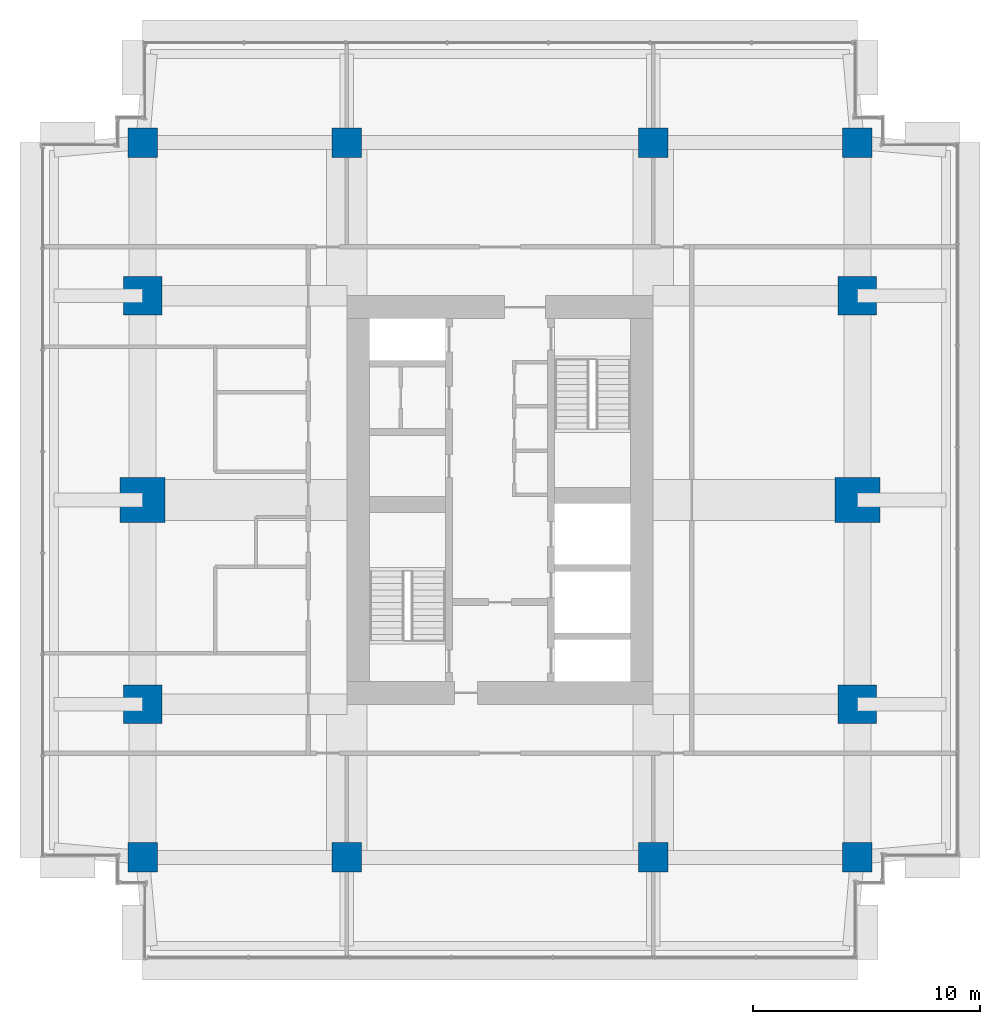
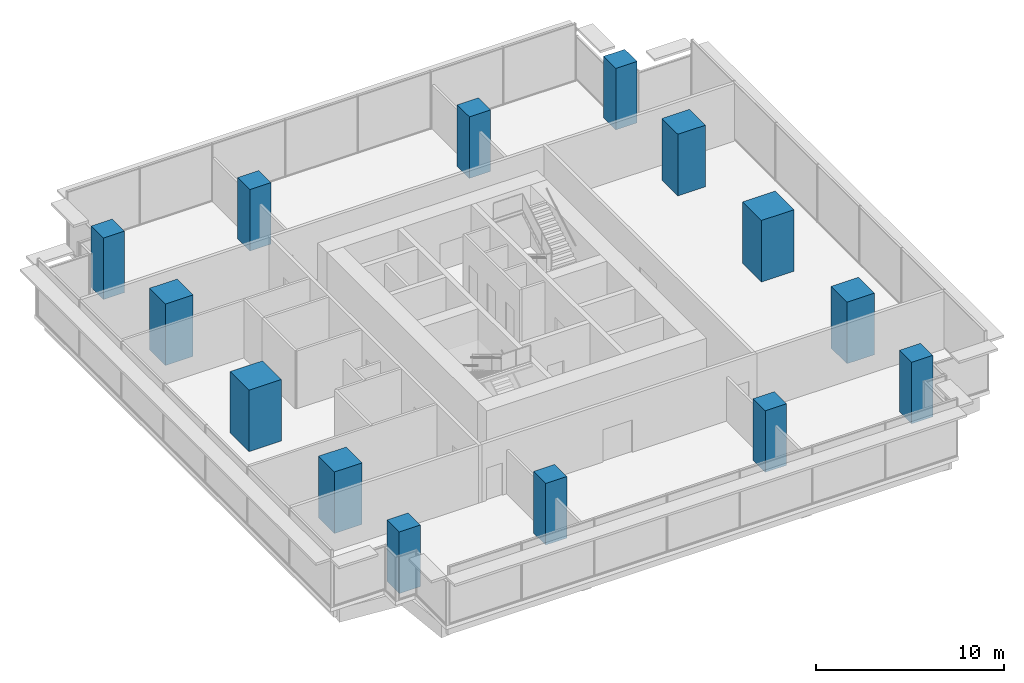
# One storey, part 1 of 13: 14 columns.
"""IFC4 building model written with IfcOpenShell, lengths in metres."""

from ifc_helpers import new_model, si_unit, direction, frame, origin, origin_2d, place, context, subcontext, project, spatial, rectangle, extrude, material, material_profile, profile_set, type_object, element, save


model = new_model("IFC4")

# Units and contexts
model_context = context("Model", 3, precision=1e-05, world=origin(), true_north=direction((0.0, 1.0)))
body_context = subcontext(model_context, "Body", "Model", "MODEL_VIEW")
ifc_project = project(units=[si_unit("LENGTHUNIT", "METRE"), si_unit("AREAUNIT", "SQUARE_METRE"), si_unit("VOLUMEUNIT", "CUBIC_METRE"), si_unit("PLANEANGLEUNIT", "RADIAN"), si_unit("MASSUNIT", "GRAM", prefix="KILO")], contexts=[model_context])

# Site, building, storey
site_placement = place(None, origin())
site = spatial("IfcSite", under=ifc_project, at=site_placement, CompositionType="ELEMENT")
building_placement = place(site_placement, origin())
building = spatial("IfcBuilding", under=site, at=building_placement, Name="Namib Vertical Campus", CompositionType="ELEMENT")
storey_placement = place(building_placement, frame((0.0, 0.0, 293.0)))
storey = spatial("IfcBuildingStorey", under=building, at=storey_placement, Name="L69", CompositionType="ELEMENT", Elevation=293.0)

# Columns
ifc_material_1 = material(Name="Concrete C60/75", Category="concrete")
ifc_material_profile_1 = material_profile(ifc_material_1, rectangle(XDim=1.300048828125, YDim=1.300048828125, at=origin_2d()))
ifc_profile_set_1 = profile_set([ifc_material_profile_1], Name="Concrete C60/75")
column_type_1 = type_object("IfcColumnType", Name="Column RC 1300x1300", PredefinedType="COLUMN", material=ifc_profile_set_1)
for number, where, z_axis, x_axis, name in (
    (1, (4.5, 4.5, 0.0), (0.0, 0.0, 1.0), (1.0, 0.0, 0.0), "Column C130 L69"),
    (2, (13.5, 4.5, 0.0), (0.0, 0.0, 1.0), (1.0, 0.0, 0.0), "Column C130 L69"),
    (3, (27.0, 4.5, 0.0), (0.0, 0.0, 1.0), (1.0, 0.0, 0.0), "Column C130 L69"),
    (4, (36.0, 4.5, 0.0), (0.0, 0.0, 1.0), (1.0, 0.0, 0.0), "Column C130 L69"),
    (5, (4.5, 36.0, 0.0), (0.0, 0.0, 1.0), (1.0, 0.0, 0.0), "Column C130 L69"),
    (6, (13.5, 36.0, 0.0), (0.0, 0.0, 1.0), (1.0, 0.0, 0.0), "Column C130 L69"),
    (7, (27.0, 36.0, 0.0), (0.0, 0.0, 1.0), (1.0, 0.0, 0.0), "Column C130 L69"),
    (8, (36.0, 36.0, 0.0), (0.0, 0.0, 1.0), (1.0, 0.0, 0.0), "Column C130 L69"),
):
    element("IfcColumn", number, at=place(storey_placement, frame(where, z_axis=z_axis, x_axis=x_axis)), inside=storey, type_object=column_type_1, Name=name, PredefinedType="COLUMN", context=body_context, shape_type="SweptSolid", body=[
        extrude(rectangle(XDim=1.300048828125, YDim=1.300048828125, at=origin_2d()), origin(), (0.0, 0.0, 1.0), 4.0),
    ])
ifc_material_2 = material(Name="Concrete C60/75", Category="concrete")
ifc_material_profile_2 = material_profile(ifc_material_2, rectangle(XDim=1.699951171875, YDim=1.699951171875, at=origin_2d()))
ifc_profile_set_2 = profile_set([ifc_material_profile_2], Name="Concrete C60/75")
column_type_2 = type_object("IfcColumnType", Name="Column RC 1700x1700", PredefinedType="COLUMN", material=ifc_profile_set_2)
for number, where, z_axis, x_axis, name in (
    (9, (4.5, 11.25, 0.0), (0.0, 0.0, 1.0), (1.0, 0.0, 0.0), "Column C170 L69"),
    (10, (36.0, 11.25, 0.0), (0.0, 0.0, 1.0), (1.0, 0.0, 0.0), "Column C170 L69"),
    (11, (4.5, 29.25, 0.0), (0.0, 0.0, 1.0), (1.0, 0.0, 0.0), "Column C170 L69"),
    (12, (36.0, 29.25, 0.0), (0.0, 0.0, 1.0), (1.0, 0.0, 0.0), "Column C170 L69"),
):
    element("IfcColumn", number, at=place(storey_placement, frame(where, z_axis=z_axis, x_axis=x_axis)), inside=storey, type_object=column_type_2, Name=name, PredefinedType="COLUMN", context=body_context, shape_type="SweptSolid", body=[
        extrude(rectangle(XDim=1.699951171875, YDim=1.699951171875, at=origin_2d()), origin(), (0.0, 0.0, 1.0), 4.0),
    ])
ifc_material_3 = material(Name="Concrete C60/75", Category="concrete")
ifc_material_profile_3 = material_profile(ifc_material_3, rectangle(XDim=2.0, YDim=2.0, at=origin_2d()))
ifc_profile_set_3 = profile_set([ifc_material_profile_3], Name="Concrete C60/75")
column_type_3 = type_object("IfcColumnType", Name="Column RC 2000x2000", PredefinedType="COLUMN", material=ifc_profile_set_3)
for number, where, z_axis, x_axis, name in (
    (13, (4.5, 20.25, 0.0), (0.0, 0.0, 1.0), (1.0, 0.0, 0.0), "Column C200 L69"),
    (14, (36.0, 20.25, 0.0), (0.0, 0.0, 1.0), (1.0, 0.0, 0.0), "Column C200 L69"),
):
    element("IfcColumn", number, at=place(storey_placement, frame(where, z_axis=z_axis, x_axis=x_axis)), inside=storey, type_object=column_type_3, Name=name, PredefinedType="COLUMN", context=body_context, shape_type="SweptSolid", body=[
        extrude(rectangle(XDim=2.0, YDim=2.0, at=origin_2d()), origin(), (0.0, 0.0, 1.0), 4.0),
    ])

save(model, "model.ifc")
